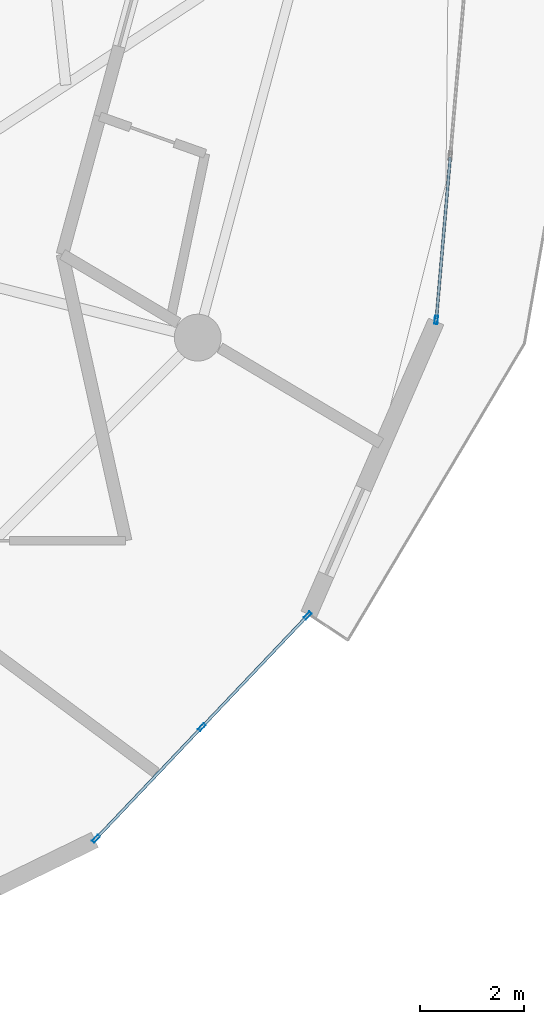
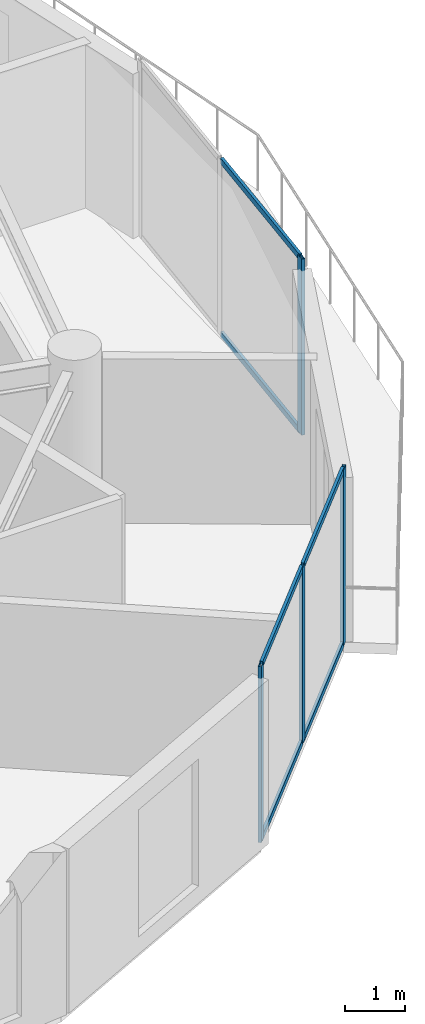
# One storey, part 11 of 23: 10 members, 2 elements without a shape of their own.
"""IFC4 building model written with IfcOpenShell, lengths in metres."""

from ifc_helpers import new_model, si_unit, direction, frame, origin, origin_2d, place, context, subcontext, project, spatial, hollow_rectangle, extrude, source, transform, mapped, material, layer, layer_set, material_profile, profile_set, type_object, element, aggregate, save


model = new_model("IFC4")

# Units and contexts
model_context = context("Model", 3, precision=1e-05, world=origin(), true_north=direction((0.0, 1.0)))
body_context = subcontext(model_context, "Body", "Model", "MODEL_VIEW")
ifc_project = project(units=[si_unit("LENGTHUNIT", "METRE"), si_unit("AREAUNIT", "SQUARE_METRE"), si_unit("VOLUMEUNIT", "CUBIC_METRE"), si_unit("PLANEANGLEUNIT", "RADIAN"), si_unit("MASSUNIT", "GRAM", prefix="KILO")], contexts=[model_context])

# Site, building, storey
site_placement = place(None, origin())
site = spatial("IfcSite", under=ifc_project, at=site_placement, CompositionType="ELEMENT")
building_placement = place(site_placement, origin())
building = spatial("IfcBuilding", under=site, at=building_placement, Name="Solvirekh Grand Hotel", CompositionType="ELEMENT")
storey_placement = place(building_placement, frame((0.0, 0.0, 176.800048828125)))
storey = spatial("IfcBuildingStorey", under=building, at=storey_placement, Name="L45", CompositionType="ELEMENT", Elevation=176.800048828125)

# Curtain wall, members
ifc_material = material(Name="Anodized Bronze Aluminium 6063-T6", Category="aluminium")
ifc_layer = layer(ifc_material, 0.159912109375)
ifc_layer_set = layer_set([ifc_layer], Name="Anodized Bronze Aluminium 6063-T6")
curtain_wall_type = type_object("IfcCurtainWallType", Name="CW_Sys4_HighZoneFlushBronzeCW", PredefinedType="NOTDEFINED", material=ifc_layer_set)
curtain_wall_1_placement = place(storey_placement, origin())
curtain_wall_1 = element("IfcCurtainWall", 1, at=curtain_wall_1_placement, inside=storey, type_object=curtain_wall_type, Name="L45 unitised bronze-glass curtain wall CW-L45-C01", PredefinedType="NOTDEFINED")
ifc_material_profile_1 = material_profile(ifc_material, hollow_rectangle(XDim=0.054931640625, YDim=0.1201171875, WallThickness=0.00390625, at=origin_2d()), Name="ALU RHS 120X55X4")
ifc_profile_set_1 = profile_set([ifc_material_profile_1], Name="Anodized Bronze Aluminium 6063-T6")
member_type_1 = type_object("IfcMemberType", Name="CWTransom_Sys4", PredefinedType="USERDEFINED", material=ifc_profile_set_1)
shared_shape_1 = source(origin(), body_context, "Body", "SweptSolid", [
    extrude(hollow_rectangle(XDim=0.054931640625, YDim=0.1201171875, WallThickness=0.00390625, at=origin_2d()), origin(), (0.0, 0.0, 1.0), 2.893310546875),
])
member_1_placement = place(storey_placement, frame((11.749267578125, -17.49853515625, 0.02734375), z_axis=(0.688126053056, 0.725591162505, 0.0), x_axis=(-0.725591162505, 0.688126053056, 0.0)))
member_1 = element("IfcMember", 2, at=member_1_placement, type_object=member_type_1, Name="U04 transom 1.1", ObjectType="TRANSOM", PredefinedType="USERDEFINED", context=body_context, shape_type="MappedRepresentation", body=[
    mapped(shared_shape_1, transform((0.0, 0.0, 0.0), x_axis=(1.0, 0.0, 0.0), y_axis=(0.0, 1.0, 0.0), z_axis=(0.0, 0.0, 1.0), scale=1.0)),
])
member_2_placement = place(storey_placement, frame((11.749267578125, -17.49853515625, 3.572509765625), z_axis=(0.688126053056, 0.725591162505, 0.0), x_axis=(-0.725591162505, 0.688126053056, 0.0)))
member_2 = element("IfcMember", 3, at=member_2_placement, type_object=member_type_1, Name="U04 transom 1.2", ObjectType="TRANSOM", PredefinedType="USERDEFINED", context=body_context, shape_type="MappedRepresentation", body=[
    mapped(shared_shape_1, transform((0.0, 0.0, 0.0), x_axis=(1.0, 0.0, 0.0), y_axis=(0.0, 1.0, 0.0), z_axis=(0.0, 0.0, 1.0), scale=1.0)),
])
shared_shape_2 = source(origin(), body_context, "Body", "SweptSolid", [
    extrude(hollow_rectangle(XDim=0.054931640625, YDim=0.1201171875, WallThickness=0.00390625, at=origin_2d()), origin(), (0.0, 0.0, 1.0), 2.89306640625),
])
member_3_placement = place(storey_placement, frame((13.78173828125, -15.355712890625, 0.02734375), z_axis=(0.688168185694, 0.725551203016, 0.0), x_axis=(-0.725551203016, 0.688168185694, 0.0)))
member_3 = element("IfcMember", 4, at=member_3_placement, type_object=member_type_1, Name="U04 transom 2.1", ObjectType="TRANSOM", PredefinedType="USERDEFINED", context=body_context, shape_type="MappedRepresentation", body=[
    mapped(shared_shape_2, transform((0.0, 0.0, 0.0), x_axis=(1.0, 0.0, 0.0), y_axis=(0.0, 1.0, 0.0), z_axis=(0.0, 0.0, 1.0), scale=1.0)),
])
member_4_placement = place(storey_placement, frame((13.78173828125, -15.355712890625, 3.572509765625), z_axis=(0.688168185694, 0.725551203016, 0.0), x_axis=(-0.725551203016, 0.688168185694, 0.0)))
member_4 = element("IfcMember", 5, at=member_4_placement, type_object=member_type_1, Name="U04 transom 2.2", ObjectType="TRANSOM", PredefinedType="USERDEFINED", context=body_context, shape_type="MappedRepresentation", body=[
    mapped(shared_shape_2, transform((0.0, 0.0, 0.0), x_axis=(1.0, 0.0, 0.0), y_axis=(0.0, 1.0, 0.0), z_axis=(0.0, 0.0, 1.0), scale=1.0)),
])

curtain_wall_2_placement = place(storey_placement, origin())
curtain_wall_2 = element("IfcCurtainWall", 6, at=curtain_wall_2_placement, inside=storey, type_object=curtain_wall_type, Name="L45 unitised bronze-glass curtain wall CW-L45-C03", PredefinedType="NOTDEFINED")
shared_shape_3 = source(origin(), body_context, "Body", "SweptSolid", [
    extrude(hollow_rectangle(XDim=0.054931640625, YDim=0.1201171875, WallThickness=0.00390625, at=origin_2d()), origin(), (0.0, 0.0, 1.0), 3.1044921875),
])
member_5_placement = place(storey_placement, frame((18.26513671875, -7.5302734375, 0.02734375), z_axis=(0.085323075845, 0.99635333729, 0.0), x_axis=(-0.99635333729, 0.085323075845, 0.0)))
member_5 = element("IfcMember", 7, at=member_5_placement, type_object=member_type_1, Name="U04 transom 1.1", ObjectType="TRANSOM", PredefinedType="USERDEFINED", context=body_context, shape_type="MappedRepresentation", body=[
    mapped(shared_shape_3, transform((0.0, 0.0, 0.0), x_axis=(1.0, 0.0, 0.0), y_axis=(0.0, 1.0, 0.0), z_axis=(0.0, 0.0, 1.0), scale=1.0)),
])
member_6_placement = place(storey_placement, frame((18.26513671875, -7.5302734375, 3.572509765625), z_axis=(0.085323075845, 0.99635333729, 0.0), x_axis=(-0.99635333729, 0.085323075845, 0.0)))
member_6 = element("IfcMember", 8, at=member_6_placement, type_object=member_type_1, Name="U04 transom 1.2", ObjectType="TRANSOM", PredefinedType="USERDEFINED", context=body_context, shape_type="MappedRepresentation", body=[
    mapped(shared_shape_3, transform((0.0, 0.0, 0.0), x_axis=(1.0, 0.0, 0.0), y_axis=(0.0, 1.0, 0.0), z_axis=(0.0, 0.0, 1.0), scale=1.0)),
])

# Member
ifc_material_profile_2 = material_profile(ifc_material, hollow_rectangle(XDim=0.06005859375, YDim=0.159912109375, WallThickness=0.0048828125, at=origin_2d()), Name="ALU RHS 160X60X5")
ifc_profile_set_2 = profile_set([ifc_material_profile_2], Name="Anodized Bronze Aluminium 6063-T6")
member_type_2 = type_object("IfcMemberType", Name="CWMullion_Sys4", PredefinedType="MULLION", material=ifc_profile_set_2)
shared_shape_4 = source(origin(), body_context, "Body", "SweptSolid", [
    extrude(hollow_rectangle(XDim=0.06005859375, YDim=0.159912109375, WallThickness=0.0048828125, at=origin_2d()), origin(), (0.0, 0.0, 1.0), 3.599853515625),
])
member_7_placement = place(storey_placement, frame((11.728759765625, -17.520263671875, 0.0), z_axis=(0.0, 0.0, 1.0), x_axis=(-0.725547377968, 0.688172218506, 0.0)))
member_7 = element("IfcMember", 9, at=member_7_placement, type_object=member_type_2, Name="U04 mullion 1", PredefinedType="MULLION", context=body_context, shape_type="MappedRepresentation", body=[
    mapped(shared_shape_4, transform((0.0, 0.0, 0.0), x_axis=(1.0, 0.0, 0.0), y_axis=(0.0, 1.0, 0.0), z_axis=(0.0, 0.0, 1.0), scale=1.0)),
])

member_8_placement = place(storey_placement, frame((13.760986328125, -15.37744140625, 0.0), z_axis=(0.0, 0.0, 1.0), x_axis=(-0.725547377968, 0.688172218506, 0.0)))
member_8 = element("IfcMember", 10, at=member_8_placement, type_object=member_type_2, Name="U04 mullion 2", PredefinedType="MULLION", context=body_context, shape_type="MappedRepresentation", body=[
    mapped(shared_shape_4, transform((0.0, 0.0, 0.0), x_axis=(1.0, 0.0, 0.0), y_axis=(0.0, 1.0, 0.0), z_axis=(0.0, 0.0, 1.0), scale=1.0)),
])

member_9_placement = place(storey_placement, frame((15.79345703125, -13.23486328125, 0.0), z_axis=(0.0, 0.0, 1.0), x_axis=(-0.725547377968, 0.688172218506, 0.0)))
member_9 = element("IfcMember", 11, at=member_9_placement, type_object=member_type_2, Name="U04 mullion 3", PredefinedType="MULLION", context=body_context, shape_type="MappedRepresentation", body=[
    mapped(shared_shape_4, transform((0.0, 0.0, 0.0), x_axis=(1.0, 0.0, 0.0), y_axis=(0.0, 1.0, 0.0), z_axis=(0.0, 0.0, 1.0), scale=1.0)),
])

aggregate(curtain_wall_1, [member_7, member_8, member_9, member_1, member_2, member_3, member_4])

member_10_placement = place(storey_placement, frame((18.262451171875, -7.56005859375, 0.0), z_axis=(0.0, 0.0, 1.0), x_axis=(-0.996355395292, 0.085299040279, 0.0)))
member_10 = element("IfcMember", 12, at=member_10_placement, type_object=member_type_2, Name="U04 mullion 1", PredefinedType="MULLION", context=body_context, shape_type="MappedRepresentation", body=[
    mapped(shared_shape_4, transform((0.0, 0.0, 0.0), x_axis=(1.0, 0.0, 0.0), y_axis=(0.0, 1.0, 0.0), z_axis=(0.0, 0.0, 1.0), scale=1.0)),
])

aggregate(curtain_wall_2, [member_10, member_5, member_6])

save(model, "model.ifc")
